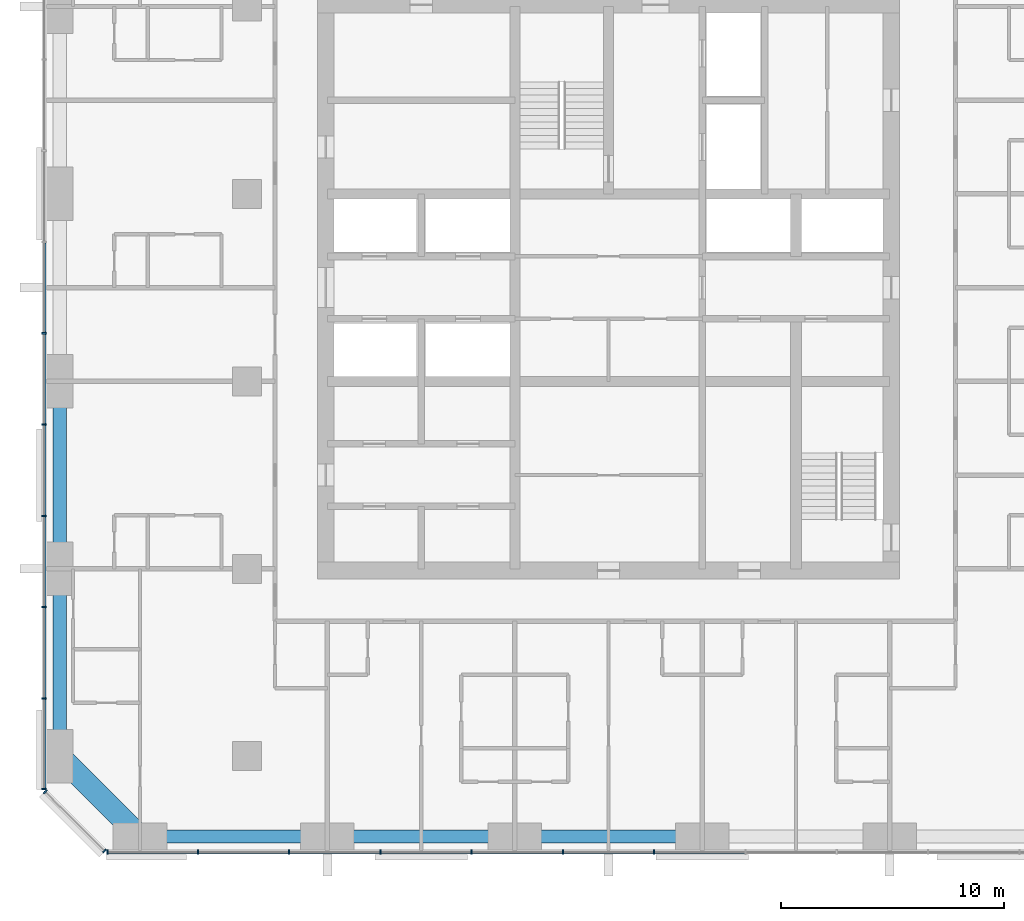
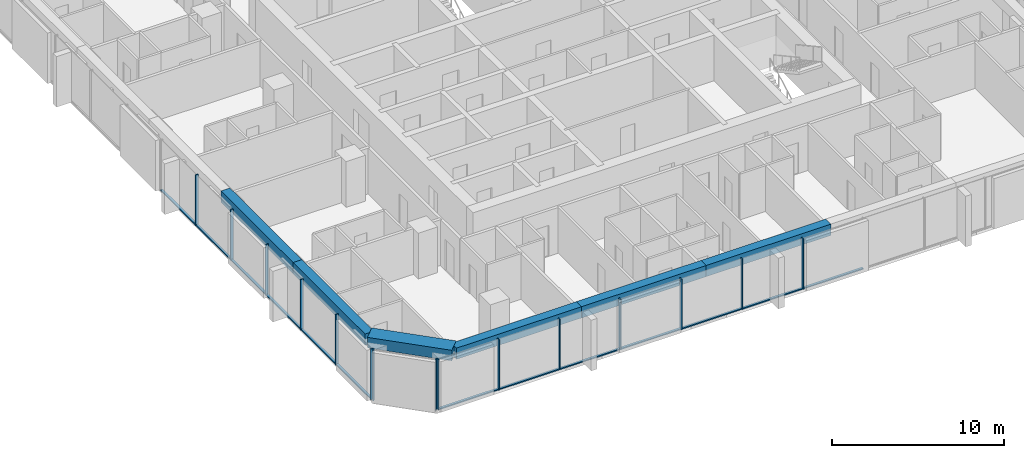
# One storey, part 2 of 14: 28 members, 6 beams, 3 elements without a shape of their own.
"""IFC4 building model written with IfcOpenShell, lengths in metres."""

from ifc_helpers import new_model, si_unit, direction, frame, origin, origin_2d, place, context, subcontext, project, spatial, rectangle, extrude, material, material_profile, profile_set, type_object, element, aggregate, save


model = new_model("IFC4")

# Units and contexts
model_context = context("Model", 3, precision=1e-05, world=origin(), true_north=direction((0.0, 1.0)))
body_context = subcontext(model_context, "Body", "Model", "MODEL_VIEW")
ifc_project = project(units=[si_unit("LENGTHUNIT", "METRE"), si_unit("AREAUNIT", "SQUARE_METRE"), si_unit("VOLUMEUNIT", "CUBIC_METRE"), si_unit("PLANEANGLEUNIT", "RADIAN"), si_unit("MASSUNIT", "GRAM", prefix="KILO")], contexts=[model_context])

# Site, building, storey
site_placement = place(None, origin())
site = spatial("IfcSite", under=ifc_project, at=site_placement, CompositionType="ELEMENT")
building_placement = place(site_placement, origin())
building = spatial("IfcBuilding", under=site, at=building_placement, Name="Dunama Terrace Hotel", CompositionType="ELEMENT")
storey_placement = place(building_placement, frame((0.0, 0.0, 177.0)))
storey = spatial("IfcBuildingStorey", under=building, at=storey_placement, Name="L45", CompositionType="ELEMENT", Elevation=177.0)

# Curtain wall, members
ifc_material_1 = material(Name="Aluminium curtain wall system", Category="aluminium")
curtain_wall_type = type_object("IfcCurtainWallType", Name="Unitised fritted glass wall CW-C", PredefinedType="NOTDEFINED", material=ifc_material_1)
curtain_wall_1_placement = place(storey_placement, origin())
curtain_wall_1 = element("IfcCurtainWall", 1, at=curtain_wall_1_placement, inside=storey, type_object=curtain_wall_type, Name="Unitised fritted glass wall CW-C L45", PredefinedType="NOTDEFINED")
ifc_material_2 = material(Name="Aluminium mullion", Category="aluminium")
ifc_material_profile_1 = material_profile(ifc_material_2, rectangle(XDim=0.070068359375, YDim=0.199951171875, at=origin_2d()), Name="CWC MULLION 70X200")
ifc_profile_set_1 = profile_set([ifc_material_profile_1], Name="Aluminium mullion")
member_type_1 = type_object("IfcMemberType", Name="CWC mullion 70x200", PredefinedType="MULLION", material=ifc_profile_set_1)
member_1_placement = place(storey_placement, frame((6.93505859375, 4.10009765625, 0.0), z_axis=(0.0, 0.0, 1.0), x_axis=(1.0, 0.0, 0.0)))
member_1 = element("IfcMember", 2, at=member_1_placement, type_object=member_type_1, Name="CWC mullion", PredefinedType="MULLION", context=body_context, shape_type="SweptSolid", body=[
    extrude(rectangle(XDim=0.070068359375, YDim=0.199951171875, at=origin_2d()), origin(), (0.0, 0.0, 1.0), 3.60009765625),
])
member_2_placement = place(storey_placement, frame((10.990966796875, 4.10009765625, 0.0), z_axis=(0.0, 0.0, 1.0), x_axis=(1.0, 0.0, 0.0)))
member_2 = element("IfcMember", 3, at=member_2_placement, type_object=member_type_1, Name="CWC mullion", PredefinedType="MULLION", context=body_context, shape_type="SweptSolid", body=[
    extrude(rectangle(XDim=0.070068359375, YDim=0.199951171875, at=origin_2d()), origin(), (0.0, 0.0, 1.0), 3.60009765625),
])
member_3_placement = place(storey_placement, frame((15.08203125, 4.10009765625, 0.0), z_axis=(0.0, 0.0, 1.0), x_axis=(1.0, 0.0, 0.0)))
member_3 = element("IfcMember", 4, at=member_3_placement, type_object=member_type_1, Name="CWC mullion", PredefinedType="MULLION", context=body_context, shape_type="SweptSolid", body=[
    extrude(rectangle(XDim=0.070068359375, YDim=0.199951171875, at=origin_2d()), origin(), (0.0, 0.0, 1.0), 3.60009765625),
])
member_4_placement = place(storey_placement, frame((19.173095703125, 4.10009765625, 0.0), z_axis=(0.0, 0.0, 1.0), x_axis=(1.0, 0.0, 0.0)))
member_4 = element("IfcMember", 5, at=member_4_placement, type_object=member_type_1, Name="CWC mullion", PredefinedType="MULLION", context=body_context, shape_type="SweptSolid", body=[
    extrude(rectangle(XDim=0.070068359375, YDim=0.199951171875, at=origin_2d()), origin(), (0.0, 0.0, 1.0), 3.60009765625),
])
member_5_placement = place(storey_placement, frame((23.263916015625, 4.10009765625, 0.0), z_axis=(0.0, 0.0, 1.0), x_axis=(1.0, 0.0, 0.0)))
member_5 = element("IfcMember", 6, at=member_5_placement, type_object=member_type_1, Name="CWC mullion", PredefinedType="MULLION", context=body_context, shape_type="SweptSolid", body=[
    extrude(rectangle(XDim=0.070068359375, YDim=0.199951171875, at=origin_2d()), origin(), (0.0, 0.0, 1.0), 3.60009765625),
])
member_6_placement = place(storey_placement, frame((27.35498046875, 4.10009765625, 0.0), z_axis=(0.0, 0.0, 1.0), x_axis=(1.0, 0.0, 0.0)))
member_6 = element("IfcMember", 7, at=member_6_placement, type_object=member_type_1, Name="CWC mullion", PredefinedType="MULLION", context=body_context, shape_type="SweptSolid", body=[
    extrude(rectangle(XDim=0.070068359375, YDim=0.199951171875, at=origin_2d()), origin(), (0.0, 0.0, 1.0), 3.60009765625),
])
member_7_placement = place(storey_placement, frame((31.445068359375, 4.10009765625, 0.0), z_axis=(0.0, 0.0, 1.0), x_axis=(1.0, 0.0, 0.0)))
member_7 = element("IfcMember", 8, at=member_7_placement, type_object=member_type_1, Name="CWC mullion", PredefinedType="MULLION", context=body_context, shape_type="SweptSolid", body=[
    extrude(rectangle(XDim=0.070068359375, YDim=0.199951171875, at=origin_2d()), origin(), (0.0, 0.0, 1.0), 3.60009765625),
])

curtain_wall_2_placement = place(storey_placement, origin())
curtain_wall_2 = element("IfcCurtainWall", 9, at=curtain_wall_2_placement, inside=storey, type_object=curtain_wall_type, Name="Unitised fritted glass wall CW-C L45", PredefinedType="NOTDEFINED")
member_8_placement = place(storey_placement, frame((4.10009765625, 27.35498046875, 0.0), z_axis=(0.0, 0.0, 1.0), x_axis=(0.0, -1.0, 0.0)))
member_8 = element("IfcMember", 10, at=member_8_placement, type_object=member_type_1, Name="CWC mullion", PredefinedType="MULLION", context=body_context, shape_type="SweptSolid", body=[
    extrude(rectangle(XDim=0.070068359375, YDim=0.199951171875, at=origin_2d()), origin(), (0.0, 0.0, 1.0), 3.60009765625),
])
member_9_placement = place(storey_placement, frame((4.10009765625, 23.263916015625, 0.0), z_axis=(0.0, 0.0, 1.0), x_axis=(0.0, -1.0, 0.0)))
member_9 = element("IfcMember", 11, at=member_9_placement, type_object=member_type_1, Name="CWC mullion", PredefinedType="MULLION", context=body_context, shape_type="SweptSolid", body=[
    extrude(rectangle(XDim=0.070068359375, YDim=0.199951171875, at=origin_2d()), origin(), (0.0, 0.0, 1.0), 3.60009765625),
])
member_10_placement = place(storey_placement, frame((4.10009765625, 19.173095703125, 0.0), z_axis=(0.0, 0.0, 1.0), x_axis=(0.0, -1.0, 0.0)))
member_10 = element("IfcMember", 12, at=member_10_placement, type_object=member_type_1, Name="CWC mullion", PredefinedType="MULLION", context=body_context, shape_type="SweptSolid", body=[
    extrude(rectangle(XDim=0.070068359375, YDim=0.199951171875, at=origin_2d()), origin(), (0.0, 0.0, 1.0), 3.60009765625),
])
member_11_placement = place(storey_placement, frame((4.10009765625, 15.08203125, 0.0), z_axis=(0.0, 0.0, 1.0), x_axis=(0.0, -1.0, 0.0)))
member_11 = element("IfcMember", 13, at=member_11_placement, type_object=member_type_1, Name="CWC mullion", PredefinedType="MULLION", context=body_context, shape_type="SweptSolid", body=[
    extrude(rectangle(XDim=0.070068359375, YDim=0.199951171875, at=origin_2d()), origin(), (0.0, 0.0, 1.0), 3.60009765625),
])
member_12_placement = place(storey_placement, frame((4.10009765625, 10.990966796875, 0.0), z_axis=(0.0, 0.0, 1.0), x_axis=(0.0, -1.0, 0.0)))
member_12 = element("IfcMember", 14, at=member_12_placement, type_object=member_type_1, Name="CWC mullion", PredefinedType="MULLION", context=body_context, shape_type="SweptSolid", body=[
    extrude(rectangle(XDim=0.070068359375, YDim=0.199951171875, at=origin_2d()), origin(), (0.0, 0.0, 1.0), 3.60009765625),
])
member_13_placement = place(storey_placement, frame((4.10009765625, 6.93505859375, 0.0), z_axis=(0.0, 0.0, 1.0), x_axis=(0.0, -1.0, 0.0)))
member_13 = element("IfcMember", 15, at=member_13_placement, type_object=member_type_1, Name="CWC mullion", PredefinedType="MULLION", context=body_context, shape_type="SweptSolid", body=[
    extrude(rectangle(XDim=0.070068359375, YDim=0.199951171875, at=origin_2d()), origin(), (0.0, 0.0, 1.0), 3.60009765625),
])

curtain_wall_3_placement = place(storey_placement, origin())
curtain_wall_3 = element("IfcCurtainWall", 16, at=curtain_wall_3_placement, inside=storey, type_object=curtain_wall_type, Name="Unitised fritted glass wall CW-C L45", PredefinedType="NOTDEFINED")
member_14_placement = place(storey_placement, frame((4.154052734375, 6.804931640625, 0.0), z_axis=(0.0, 0.0, 1.0), x_axis=(0.707106781187, -0.707106781187, 0.0)))
member_14 = element("IfcMember", 17, at=member_14_placement, type_object=member_type_1, Name="CWC mullion", PredefinedType="MULLION", context=body_context, shape_type="SweptSolid", body=[
    extrude(rectangle(XDim=0.070068359375, YDim=0.199951171875, at=origin_2d()), origin(), (0.0, 0.0, 1.0), 3.60009765625),
])
member_15_placement = place(storey_placement, frame((6.804931640625, 4.154052734375, 0.0), z_axis=(0.0, 0.0, 1.0), x_axis=(0.707106781187, -0.707106781187, 0.0)))
member_15 = element("IfcMember", 18, at=member_15_placement, type_object=member_type_1, Name="CWC mullion", PredefinedType="MULLION", context=body_context, shape_type="SweptSolid", body=[
    extrude(rectangle(XDim=0.070068359375, YDim=0.199951171875, at=origin_2d()), origin(), (0.0, 0.0, 1.0), 3.60009765625),
])
aggregate(curtain_wall_3, [member_14, member_15])

# Member
ifc_material_3 = material(Name="Aluminium transom", Category="aluminium")
ifc_material_profile_2 = material_profile(ifc_material_3, rectangle(XDim=0.159912109375, YDim=0.080078125, at=origin_2d()), Name="CWC TRANSOM 160X80")
ifc_profile_set_2 = profile_set([ifc_material_profile_2], Name="Aluminium transom")
member_type_2 = type_object("IfcMemberType", Name="CWC transom 160x80", PredefinedType="USERDEFINED", material=ifc_profile_set_2)
member_16_placement = place(storey_placement, frame((6.969970703125, 4.10009765625, 0.0400390625), z_axis=(1.0, 0.0, 0.0), x_axis=(0.0, 1.0, 0.0)))
member_16 = element("IfcMember", 19, at=member_16_placement, type_object=member_type_2, Name="CWC transom", ObjectType="TRANSOM", PredefinedType="USERDEFINED", context=body_context, shape_type="SweptSolid", body=[
    extrude(rectangle(XDim=0.159912109375, YDim=0.080078125, at=origin_2d()), origin(), (0.0, 0.0, 1.0), 3.986083984375),
])

member_17_placement = place(storey_placement, frame((11.02587890625, 4.10009765625, 0.0400390625), z_axis=(1.0, 0.0, 0.0), x_axis=(0.0, 1.0, 0.0)))
member_17 = element("IfcMember", 20, at=member_17_placement, type_object=member_type_2, Name="CWC transom", ObjectType="TRANSOM", PredefinedType="USERDEFINED", context=body_context, shape_type="SweptSolid", body=[
    extrude(rectangle(XDim=0.159912109375, YDim=0.080078125, at=origin_2d()), origin(), (0.0, 0.0, 1.0), 4.021240234375),
])

member_18_placement = place(storey_placement, frame((15.116943359375, 4.10009765625, 0.0400390625), z_axis=(1.0, 0.0, 0.0), x_axis=(0.0, 1.0, 0.0)))
member_18 = element("IfcMember", 21, at=member_18_placement, type_object=member_type_2, Name="CWC transom", ObjectType="TRANSOM", PredefinedType="USERDEFINED", context=body_context, shape_type="SweptSolid", body=[
    extrude(rectangle(XDim=0.159912109375, YDim=0.080078125, at=origin_2d()), origin(), (0.0, 0.0, 1.0), 4.02099609375),
])

member_19_placement = place(storey_placement, frame((19.2080078125, 4.10009765625, 0.0400390625), z_axis=(1.0, 0.0, 0.0), x_axis=(0.0, 1.0, 0.0)))
member_19 = element("IfcMember", 22, at=member_19_placement, type_object=member_type_2, Name="CWC transom", ObjectType="TRANSOM", PredefinedType="USERDEFINED", context=body_context, shape_type="SweptSolid", body=[
    extrude(rectangle(XDim=0.159912109375, YDim=0.080078125, at=origin_2d()), origin(), (0.0, 0.0, 1.0), 4.02099609375),
])

member_20_placement = place(storey_placement, frame((23.299072265625, 4.10009765625, 0.0400390625), z_axis=(1.0, 0.0, 0.0), x_axis=(0.0, 1.0, 0.0)))
member_20 = element("IfcMember", 23, at=member_20_placement, type_object=member_type_2, Name="CWC transom", ObjectType="TRANSOM", PredefinedType="USERDEFINED", context=body_context, shape_type="SweptSolid", body=[
    extrude(rectangle(XDim=0.159912109375, YDim=0.080078125, at=origin_2d()), origin(), (0.0, 0.0, 1.0), 4.02099609375),
])

member_21_placement = place(storey_placement, frame((27.389892578125, 4.10009765625, 0.0400390625), z_axis=(1.0, 0.0, 0.0), x_axis=(0.0, 1.0, 0.0)))
member_21 = element("IfcMember", 24, at=member_21_placement, type_object=member_type_2, Name="CWC transom", ObjectType="TRANSOM", PredefinedType="USERDEFINED", context=body_context, shape_type="SweptSolid", body=[
    extrude(rectangle(XDim=0.159912109375, YDim=0.080078125, at=origin_2d()), origin(), (0.0, 0.0, 1.0), 4.02001953125),
])

member_22_placement = place(storey_placement, frame((31.47998046875, 4.10009765625, 0.0400390625), z_axis=(1.0, 0.0, 0.0), x_axis=(0.0, 1.0, 0.0)))
member_22 = element("IfcMember", 25, at=member_22_placement, type_object=member_type_2, Name="CWC transom", ObjectType="TRANSOM", PredefinedType="USERDEFINED", context=body_context, shape_type="SweptSolid", body=[
    extrude(rectangle(XDim=0.159912109375, YDim=0.080078125, at=origin_2d()), origin(), (0.0, 0.0, 1.0), 4.02099609375),
])

aggregate(curtain_wall_1, [member_1, member_2, member_3, member_4, member_5, member_6, member_7, member_16, member_17, member_18, member_19, member_20, member_21, member_22])

member_23_placement = place(storey_placement, frame((4.10009765625, 31.409912109375, 0.0400390625), z_axis=(0.0, -1.0, 0.0), x_axis=(1.0, 0.0, 0.0)))
member_23 = element("IfcMember", 26, at=member_23_placement, type_object=member_type_2, Name="CWC transom", ObjectType="TRANSOM", PredefinedType="USERDEFINED", context=body_context, shape_type="SweptSolid", body=[
    extrude(rectangle(XDim=0.159912109375, YDim=0.080078125, at=origin_2d()), origin(), (0.0, 0.0, 1.0), 4.02001953125),
])

member_24_placement = place(storey_placement, frame((4.10009765625, 27.320068359375, 0.0400390625), z_axis=(0.0, -1.0, 0.0), x_axis=(1.0, 0.0, 0.0)))
member_24 = element("IfcMember", 27, at=member_24_placement, type_object=member_type_2, Name="CWC transom", ObjectType="TRANSOM", PredefinedType="USERDEFINED", context=body_context, shape_type="SweptSolid", body=[
    extrude(rectangle(XDim=0.159912109375, YDim=0.080078125, at=origin_2d()), origin(), (0.0, 0.0, 1.0), 4.02099609375),
])

member_25_placement = place(storey_placement, frame((4.10009765625, 23.22900390625, 0.0400390625), z_axis=(0.0, -1.0, 0.0), x_axis=(1.0, 0.0, 0.0)))
member_25 = element("IfcMember", 28, at=member_25_placement, type_object=member_type_2, Name="CWC transom", ObjectType="TRANSOM", PredefinedType="USERDEFINED", context=body_context, shape_type="SweptSolid", body=[
    extrude(rectangle(XDim=0.159912109375, YDim=0.080078125, at=origin_2d()), origin(), (0.0, 0.0, 1.0), 4.02099609375),
])

member_26_placement = place(storey_placement, frame((4.10009765625, 19.137939453125, 0.0400390625), z_axis=(0.0, -1.0, 0.0), x_axis=(1.0, 0.0, 0.0)))
member_26 = element("IfcMember", 29, at=member_26_placement, type_object=member_type_2, Name="CWC transom", ObjectType="TRANSOM", PredefinedType="USERDEFINED", context=body_context, shape_type="SweptSolid", body=[
    extrude(rectangle(XDim=0.159912109375, YDim=0.080078125, at=origin_2d()), origin(), (0.0, 0.0, 1.0), 4.02099609375),
])

member_27_placement = place(storey_placement, frame((4.10009765625, 15.047119140625, 0.0400390625), z_axis=(0.0, -1.0, 0.0), x_axis=(1.0, 0.0, 0.0)))
member_27 = element("IfcMember", 30, at=member_27_placement, type_object=member_type_2, Name="CWC transom", ObjectType="TRANSOM", PredefinedType="USERDEFINED", context=body_context, shape_type="SweptSolid", body=[
    extrude(rectangle(XDim=0.159912109375, YDim=0.080078125, at=origin_2d()), origin(), (0.0, 0.0, 1.0), 4.021240234375),
])

member_28_placement = place(storey_placement, frame((4.10009765625, 10.9560546875, 0.0400390625), z_axis=(0.0, -1.0, 0.0), x_axis=(1.0, 0.0, 0.0)))
member_28 = element("IfcMember", 31, at=member_28_placement, type_object=member_type_2, Name="CWC transom", ObjectType="TRANSOM", PredefinedType="USERDEFINED", context=body_context, shape_type="SweptSolid", body=[
    extrude(rectangle(XDim=0.159912109375, YDim=0.080078125, at=origin_2d()), origin(), (0.0, 0.0, 1.0), 3.986083984375),
])

aggregate(curtain_wall_2, [member_8, member_9, member_10, member_11, member_12, member_13, member_23, member_24, member_25, member_26, member_27, member_28])

# Beams
ifc_material_4 = material(Name="Concrete C50/60", Category="concrete")
ifc_material_profile_3 = material_profile(ifc_material_4, rectangle(XDim=1.0, YDim=0.75, at=origin_2d()), Name="RC 1000x750")
ifc_profile_set_3 = profile_set([ifc_material_profile_3], Name="Concrete C50/60")
beam_type_1 = type_object("IfcBeamType", Name="Edge beam RC 1000x750", PredefinedType="SPANDREL", material=ifc_profile_set_3)
beam_1_placement = place(storey_placement, frame((8.39990234375, 4.800048828125, 3.22509765625), z_axis=(-0.707106781187, 0.707106781187, 0.0), x_axis=(-0.707106781187, -0.707106781187, 0.0)))
element("IfcBeam", 32, at=beam_1_placement, inside=storey, type_object=beam_type_1, Name="Corner edge beam under L46", PredefinedType="SPANDREL", context=body_context, shape_type="SweptSolid", body=[
    extrude(rectangle(XDim=1.0, YDim=0.75, at=origin_2d()), origin(), (0.0, 0.0, 1.0), 5.091064453125),
])
ifc_material_5 = material(Name="Concrete C40/50", Category="concrete")
ifc_material_profile_4 = material_profile(ifc_material_5, rectangle(XDim=0.60009765625, YDim=0.800048828125, at=origin_2d()), Name="RC 600x800")
ifc_profile_set_4 = profile_set([ifc_material_profile_4], Name="Concrete C40/50")
beam_type_2 = type_object("IfcBeamType", Name="Edge beam RC 600x800", PredefinedType="SPANDREL", material=ifc_profile_set_4)
beam_2_placement = place(storey_placement, frame((4.800048828125, 8.39990234375, 3.199951171875), z_axis=(0.0, 1.0, 0.0), x_axis=(-1.0, 0.0, 0.0)))
element("IfcBeam", 33, at=beam_2_placement, inside=storey, type_object=beam_type_2, Name="Edge beam under L46", PredefinedType="SPANDREL", context=body_context, shape_type="SweptSolid", body=[
    extrude(rectangle(XDim=0.60009765625, YDim=0.800048828125, at=origin_2d()), origin(), (0.0, 0.0, 1.0), 8.400146484375),
])
beam_3_placement = place(storey_placement, frame((4.800048828125, 16.800048828125, 3.199951171875), z_axis=(0.0, 1.0, 0.0), x_axis=(-1.0, 0.0, 0.0)))
element("IfcBeam", 34, at=beam_3_placement, inside=storey, type_object=beam_type_2, Name="Edge beam under L46", PredefinedType="SPANDREL", context=body_context, shape_type="SweptSolid", body=[
    extrude(rectangle(XDim=0.60009765625, YDim=0.800048828125, at=origin_2d()), origin(), (0.0, 0.0, 1.0), 8.39990234375),
])
beam_4_placement = place(storey_placement, frame((8.39990234375, 4.800048828125, 3.199951171875), z_axis=(1.0, 0.0, 0.0), x_axis=(0.0, 1.0, 0.0)))
element("IfcBeam", 35, at=beam_4_placement, inside=storey, type_object=beam_type_2, Name="Edge beam under L46", PredefinedType="SPANDREL", context=body_context, shape_type="SweptSolid", body=[
    extrude(rectangle(XDim=0.60009765625, YDim=0.800048828125, at=origin_2d()), origin(), (0.0, 0.0, 1.0), 8.400146484375),
])
beam_5_placement = place(storey_placement, frame((16.800048828125, 4.800048828125, 3.199951171875), z_axis=(1.0, 0.0, 0.0), x_axis=(0.0, 1.0, 0.0)))
element("IfcBeam", 36, at=beam_5_placement, inside=storey, type_object=beam_type_2, Name="Edge beam under L46", PredefinedType="SPANDREL", context=body_context, shape_type="SweptSolid", body=[
    extrude(rectangle(XDim=0.60009765625, YDim=0.800048828125, at=origin_2d()), origin(), (0.0, 0.0, 1.0), 8.39990234375),
])
beam_6_placement = place(storey_placement, frame((25.199951171875, 4.800048828125, 3.199951171875), z_axis=(1.0, 0.0, 0.0), x_axis=(0.0, 1.0, 0.0)))
element("IfcBeam", 37, at=beam_6_placement, inside=storey, type_object=beam_type_2, Name="Edge beam under L46", PredefinedType="SPANDREL", context=body_context, shape_type="SweptSolid", body=[
    extrude(rectangle(XDim=0.60009765625, YDim=0.800048828125, at=origin_2d()), origin(), (0.0, 0.0, 1.0), 8.400146484375),
])

save(model, "model.ifc")
